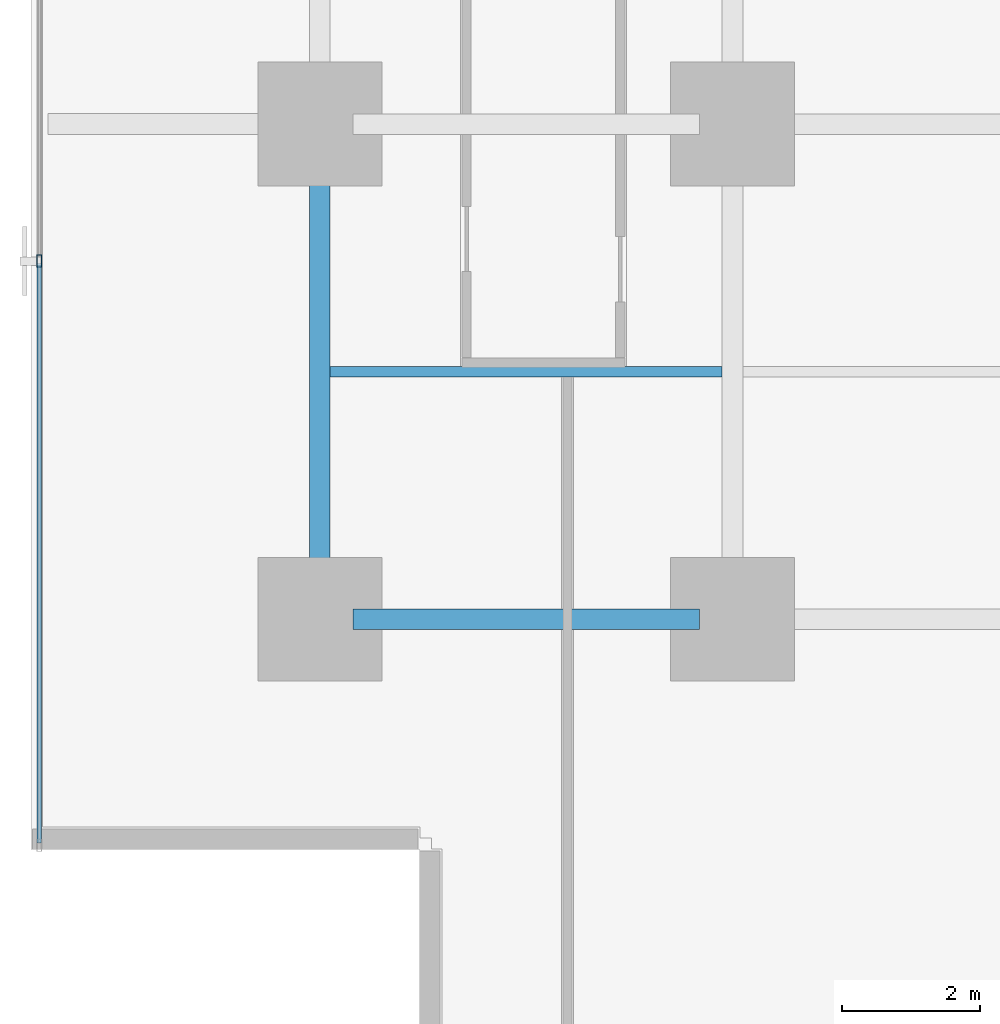
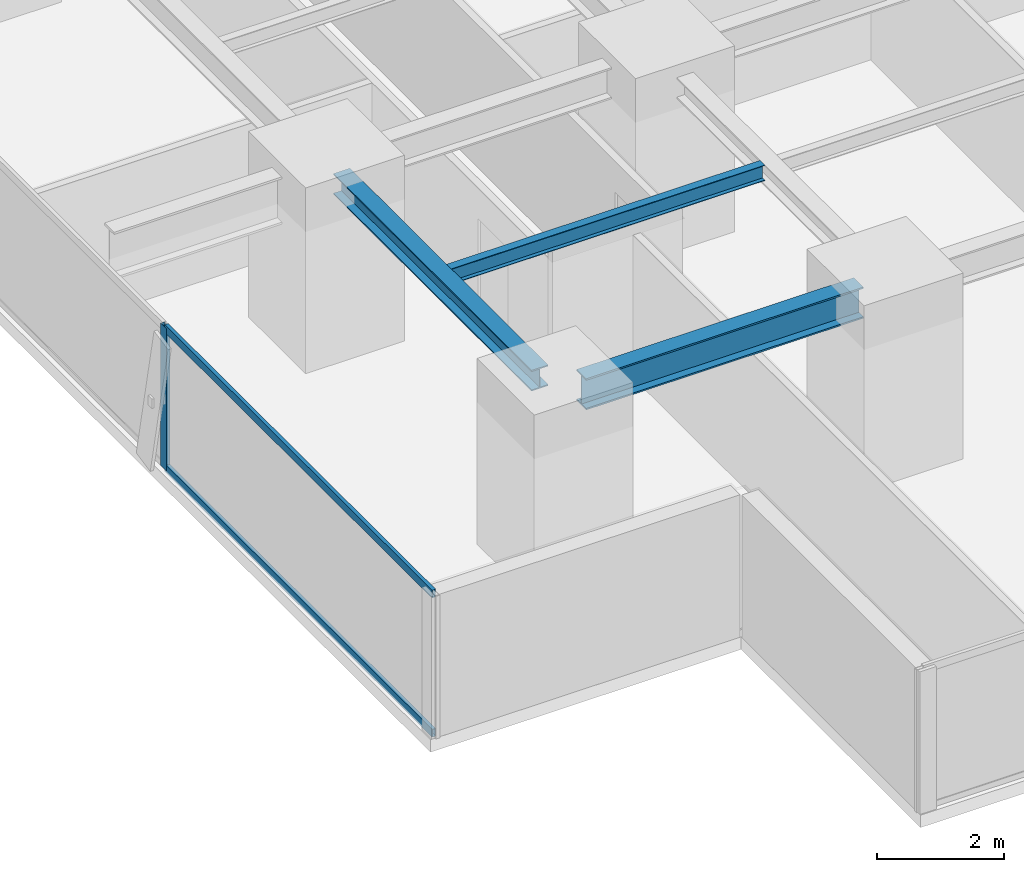
# One storey, part 3 of 34: 3 beams, 3 members, 1 element without a shape of its own.
"""IFC4 building model written with IfcOpenShell, lengths in metres."""

from ifc_helpers import new_model, si_unit, direction, frame, origin, origin_2d, place, context, subcontext, project, spatial, hollow_rectangle, i_section, extrude, source, transform, mapped, material, layer, layer_set, material_profile, profile_set, type_object, element, aggregate, save


model = new_model("IFC4")

# Units and contexts
model_context = context("Model", 3, precision=1e-05, world=origin(), true_north=direction((0.0, 1.0)))
body_context = subcontext(model_context, "Body", "Model", "MODEL_VIEW")
ifc_project = project(units=[si_unit("LENGTHUNIT", "METRE"), si_unit("AREAUNIT", "SQUARE_METRE"), si_unit("VOLUMEUNIT", "CUBIC_METRE"), si_unit("PLANEANGLEUNIT", "RADIAN"), si_unit("MASSUNIT", "GRAM", prefix="KILO")], contexts=[model_context])

# Site, building, storey
site_placement = place(None, origin())
site = spatial("IfcSite", under=ifc_project, at=site_placement, CompositionType="ELEMENT")
building_placement = place(site_placement, origin())
building = spatial("IfcBuilding", under=site, at=building_placement, Name="Sumidabori Civic Tower", CompositionType="ELEMENT")
storey_placement = place(building_placement, frame((0.0, 0.0, 34.39990234375)))
storey = spatial("IfcBuildingStorey", under=building, at=storey_placement, Name="L08", CompositionType="ELEMENT", Elevation=34.39990234375)

# Beams
ifc_material_1 = material(Name="Steel SN490", Category="steel")
ifc_material_profile_1 = material_profile(ifc_material_1, i_section(OverallWidth=0.300048828125, OverallDepth=0.60009765625, WebThickness=0.015380859375, FlangeThickness=0.030029296875, at=origin_2d()), Name="HE 600 B")
ifc_profile_set_1 = profile_set([ifc_material_profile_1], Name="Steel SN490")
beam_type_1 = type_object("IfcBeamType", Name="BM-GIRD-600", PredefinedType="BEAM", material=ifc_profile_set_1)
shared_shape_1 = source(origin(), body_context, "Body", "SweptSolid", [
    extrude(i_section(OverallWidth=0.300048828125, OverallDepth=0.60009765625, WebThickness=0.015380859375, FlangeThickness=0.030029296875, at=origin_2d()), origin(), (0.0, 0.0, 1.0), 5.0400390625),
])
beam_1_placement = place(storey_placement, frame((-22.320068359375, -18.0, 3.06005859375), z_axis=(1.0, 0.0, 0.0), x_axis=(0.0, 1.0, 0.0)))
element("IfcBeam", 1, at=beam_1_placement, inside=storey, type_object=beam_type_1, Name="Primary Girder L08 GX-01", PredefinedType="BEAM", context=body_context, shape_type="MappedRepresentation", body=[
    mapped(shared_shape_1, transform((0.0, 0.0, 0.0), x_axis=(1.0, 0.0, 0.0), y_axis=(0.0, 1.0, 0.0), z_axis=(0.0, 0.0, 1.0), scale=1.0)),
])
ifc_material_profile_2 = material_profile(ifc_material_1, i_section(OverallWidth=0.300048828125, OverallDepth=0.39990234375, WebThickness=0.013427734375, FlangeThickness=0.02392578125, at=origin_2d()), Name="HE 400 B")
ifc_profile_set_2 = profile_set([ifc_material_profile_2], Name="Steel SN490")
beam_type_2 = type_object("IfcBeamType", Name="BM-GIRD-400", PredefinedType="BEAM", material=ifc_profile_set_2)
shared_shape_2 = source(origin(), body_context, "Body", "SweptSolid", [
    extrude(i_section(OverallWidth=0.300048828125, OverallDepth=0.39990234375, WebThickness=0.013427734375, FlangeThickness=0.02392578125, at=origin_2d()), origin(), (0.0, 0.0, 1.0), 6.239990234375),
])
beam_2_placement = place(storey_placement, frame((-22.800048828125, -17.52001953125, 3.16015625), z_axis=(0.0, 1.0, 0.0), x_axis=(-1.0, 0.0, 0.0)))
element("IfcBeam", 2, at=beam_2_placement, inside=storey, type_object=beam_type_2, Name="Primary Girder L08 GY-21", PredefinedType="BEAM", context=body_context, shape_type="MappedRepresentation", body=[
    mapped(shared_shape_2, transform((0.0, 0.0, 0.0), x_axis=(1.0, 0.0, 0.0), y_axis=(0.0, 1.0, 0.0), z_axis=(0.0, 0.0, 1.0), scale=1.0)),
])
ifc_material_profile_3 = material_profile(ifc_material_1, i_section(OverallWidth=0.14990234375, OverallDepth=0.300048828125, WebThickness=0.007080078125, FlangeThickness=0.0107421875, at=origin_2d()), Name="IPE 300")
ifc_profile_set_3 = profile_set([ifc_material_profile_3], Name="Steel SN490")
beam_type_3 = type_object("IfcBeamType", Name="BM-JST-300", PredefinedType="JOIST", material=ifc_profile_set_3)
shared_shape_3 = source(origin(), body_context, "Body", "SweptSolid", [
    extrude(i_section(OverallWidth=0.14990234375, OverallDepth=0.300048828125, WebThickness=0.007080078125, FlangeThickness=0.0107421875, at=origin_2d()), origin(), (0.0, 0.0, 1.0), 5.699951171875),
])
beam_3_placement = place(storey_placement, frame((-22.64990234375, -14.39990234375, 3.210205078125), z_axis=(1.0, 0.0, 0.0), x_axis=(0.0, 1.0, 0.0)))
element("IfcBeam", 3, at=beam_3_placement, inside=storey, type_object=beam_type_3, Name="Outer Bay Floor Joist L08 JSTO-57", PredefinedType="JOIST", context=body_context, shape_type="MappedRepresentation", body=[
    mapped(shared_shape_3, transform((0.0, 0.0, 0.0), x_axis=(1.0, 0.0, 0.0), y_axis=(0.0, 1.0, 0.0), z_axis=(0.0, 0.0, 1.0), scale=1.0)),
])

# Curtain wall, members
ifc_material_2 = material(Name="Anodised Bronze Aluminium AW-6063-T6", Category="aluminium")
ifc_layer = layer(ifc_material_2, 0.179931640625, Name="Anodised Bronze Aluminium AW-6063-T6")
ifc_layer_set = layer_set([ifc_layer], Name="Anodised Bronze Aluminium AW-6063-T6")
curtain_wall_type = type_object("IfcCurtainWallType", Name="CW-SYS-2", PredefinedType="NOTDEFINED", material=ifc_layer_set)
curtain_wall_placement = place(storey_placement, origin())
curtain_wall = element("IfcCurtainWall", 4, at=curtain_wall_placement, inside=storey, type_object=curtain_wall_type, Name="Curtain Wall CW:L08:R10", PredefinedType="NOTDEFINED")
ifc_material_profile_4 = material_profile(ifc_material_2, hollow_rectangle(XDim=0.070068359375, YDim=0.179931640625, WallThickness=0.006103515625, at=origin_2d()), Name="ALU MULLION 180x70")
ifc_profile_set_4 = profile_set([ifc_material_profile_4], Name="Anodised Bronze Aluminium AW-6063-T6")
member_type_1 = type_object("IfcMemberType", Name="CW-MUL-180", PredefinedType="MULLION", material=ifc_profile_set_4)
shared_shape_4 = source(origin(), body_context, "Body", "SweptSolid", [
    extrude(hollow_rectangle(XDim=0.070068359375, YDim=0.179931640625, WallThickness=0.006103515625, at=origin_2d()), origin(), (0.0, 0.0, 1.0), 2.739990234375),
])
member_1_placement = place(storey_placement, frame((-26.8798828125, -12.7919921875, 0.0), z_axis=(0.0, 0.0, 1.0), x_axis=(1.0, 0.0, 0.0)))
member_1 = element("IfcMember", 5, at=member_1_placement, type_object=member_type_1, Name="CW-2 mullion 5", PredefinedType="MULLION", context=body_context, shape_type="MappedRepresentation", body=[
    mapped(shared_shape_4, transform((0.0, 0.0, 0.0), x_axis=(1.0, 0.0, 0.0), y_axis=(0.0, 1.0, 0.0), z_axis=(0.0, 0.0, 1.0), scale=1.0)),
])
ifc_material_profile_5 = material_profile(ifc_material_2, hollow_rectangle(XDim=0.06494140625, YDim=0.14990234375, WallThickness=0.0048828125, at=origin_2d()), Name="ALU TRANSOM 150x65")
ifc_profile_set_5 = profile_set([ifc_material_profile_5], Name="Anodised Bronze Aluminium AW-6063-T6")
member_type_2 = type_object("IfcMemberType", Name="CW-TRN-150", PredefinedType="USERDEFINED", material=ifc_profile_set_5)
shared_shape_5 = source(origin(), body_context, "Body", "SweptSolid", [
    extrude(hollow_rectangle(XDim=0.06494140625, YDim=0.14990234375, WallThickness=0.0048828125, at=origin_2d()), origin(), (0.0, 0.0, 1.0), 8.423095703125),
])
member_2_placement = place(storey_placement, frame((-26.8798828125, -12.826904296875, 0.03271484375), z_axis=(0.0, -1.0, 0.0), x_axis=(1.0, 0.0, 0.0)))
member_2 = element("IfcMember", 6, at=member_2_placement, type_object=member_type_2, Name="CW-2 transom 5.1", ObjectType="TRANSOM", PredefinedType="USERDEFINED", context=body_context, shape_type="MappedRepresentation", body=[
    mapped(shared_shape_5, transform((0.0, 0.0, 0.0), x_axis=(1.0, 0.0, 0.0), y_axis=(0.0, 1.0, 0.0), z_axis=(0.0, 0.0, 1.0), scale=1.0)),
])
member_3_placement = place(storey_placement, frame((-26.8798828125, -12.826904296875, 2.70751953125), z_axis=(0.0, -1.0, 0.0), x_axis=(1.0, 0.0, 0.0)))
member_3 = element("IfcMember", 7, at=member_3_placement, type_object=member_type_2, Name="CW-2 transom 5.2", ObjectType="TRANSOM", PredefinedType="USERDEFINED", context=body_context, shape_type="MappedRepresentation", body=[
    mapped(shared_shape_5, transform((0.0, 0.0, 0.0), x_axis=(1.0, 0.0, 0.0), y_axis=(0.0, 1.0, 0.0), z_axis=(0.0, 0.0, 1.0), scale=1.0)),
])
aggregate(curtain_wall, [member_1, member_2, member_3])

save(model, "model.ifc")
